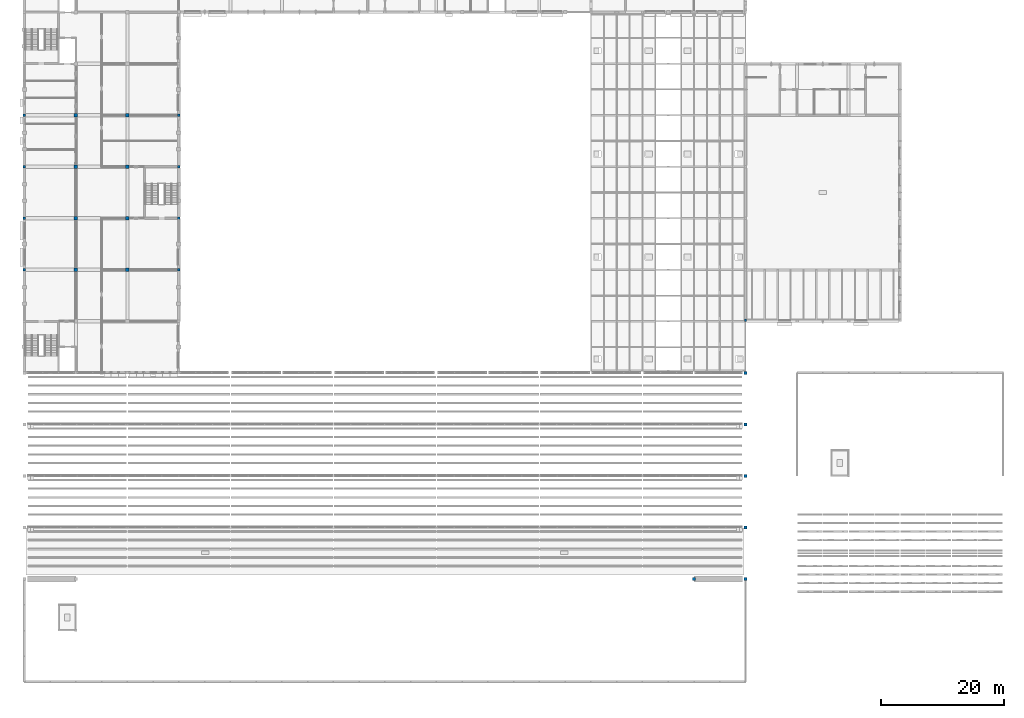
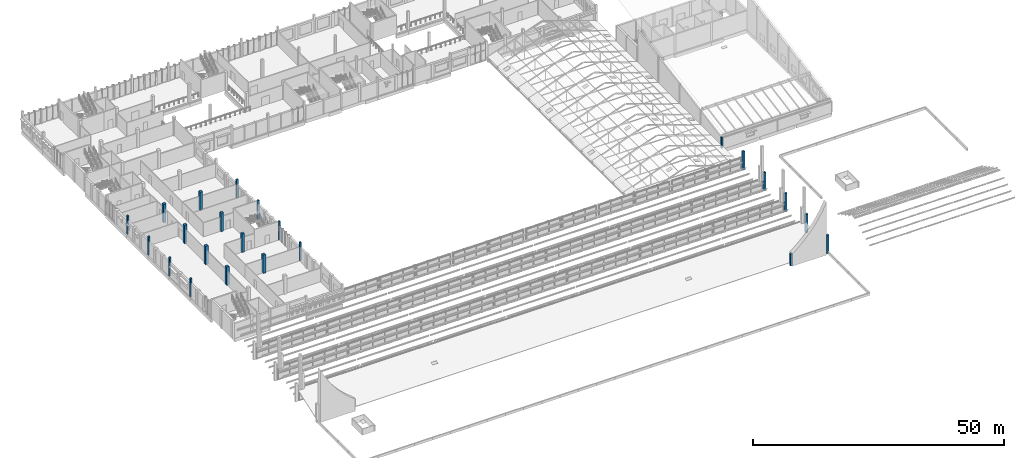
# One storey, part 2 of 116: 23 columns.
"""IFC4 building model written with IfcOpenShell, lengths in metres."""

from ifc_helpers import new_model, si_unit, direction, frame, origin, origin_2d, place, context, subcontext, project, spatial, rectangle, extrude, material, material_profile, profile_set, type_object, element, save


model = new_model("IFC4")

# Units and contexts
model_context = context("Model", 3, precision=1e-05, world=origin(), true_north=direction((0.0, 1.0)))
body_context = subcontext(model_context, "Body", "Model", "MODEL_VIEW")
ifc_project = project(units=[si_unit("LENGTHUNIT", "METRE"), si_unit("AREAUNIT", "SQUARE_METRE"), si_unit("VOLUMEUNIT", "CUBIC_METRE"), si_unit("PLANEANGLEUNIT", "RADIAN"), si_unit("MASSUNIT", "GRAM", prefix="KILO")], contexts=[model_context])

# Site, building, storey
site_placement = place(None, origin())
site = spatial("IfcSite", under=ifc_project, at=site_placement, CompositionType="ELEMENT")
building_placement = place(site_placement, origin())
building = spatial("IfcBuilding", under=site, at=building_placement, Name="Fescue Hill Polytechnic", CompositionType="ELEMENT")
storey_placement = place(building_placement, frame((0.0, 0.0, 13.5)))
storey = spatial("IfcBuildingStorey", under=building, at=storey_placement, Name="L03", CompositionType="ELEMENT", Elevation=13.5)

# Columns
ifc_material = material(Name="Concrete 40 MPa", Category="concrete")
ifc_material_profile_1 = material_profile(ifc_material, rectangle(XDim=0.39990234375, YDim=0.39990234375, at=origin_2d()), Name="RC 400x400")
ifc_profile_set_1 = profile_set([ifc_material_profile_1], Name="Concrete 40 MPa")
column_type_1 = type_object("IfcColumnType", Name="Column RC 400x400", PredefinedType="COLUMN", material=ifc_profile_set_1)
for number, where, z_axis, x_axis, name in (
    (1, (0.0, 67.199951171875, 0.0), (0.0, 0.0, 1.0), (1.0, 0.0, 0.0), "COL-L03-V4-002"),
    (2, (0.0, 75.60009765625, 0.0), (0.0, 0.0, 1.0), (1.0, 0.0, 0.0), "COL-L03-V4-003"),
    (3, (0.0, 84.0, 0.0), (0.0, 0.0, 1.0), (1.0, 0.0, 0.0), "COL-L03-V4-004"),
    (4, (0.0, 92.39990234375, 0.0), (0.0, 0.0, 1.0), (1.0, 0.0, 0.0), "COL-L03-V4-005"),
    (5, (25.199951171875, 67.199951171875, 0.0), (0.0, 0.0, 1.0), (1.0, 0.0, 0.0), "COL-L03-V4-026"),
    (6, (25.199951171875, 75.60009765625, 0.0), (0.0, 0.0, 1.0), (1.0, 0.0, 0.0), "COL-L03-V4-027"),
    (7, (25.199951171875, 84.0, 0.0), (0.0, 0.0, 1.0), (1.0, 0.0, 0.0), "COL-L03-V4-028"),
    (8, (25.199951171875, 92.39990234375, 0.0), (0.0, 0.0, 1.0), (1.0, 0.0, 0.0), "COL-L03-V4-029"),
):
    element("IfcColumn", number, at=place(storey_placement, frame(where, z_axis=z_axis, x_axis=x_axis)), inside=storey, type_object=column_type_1, Name=name, PredefinedType="COLUMN", context=body_context, shape_type="SweptSolid", body=[
        extrude(rectangle(XDim=0.39990234375, YDim=0.39990234375, at=origin_2d()), origin(), (0.0, 0.0, 1.0), 4.5),
    ])
column_1_placement = place(storey_placement, frame((117.60009765625, 59.0, 0.0), z_axis=(0.0, 0.0, 1.0), x_axis=(1.0, 0.0, 0.0)))
element("IfcColumn", 9, at=column_1_placement, inside=storey, type_object=column_type_1, Name="Lecture girder post 1", PredefinedType="COLUMN", context=body_context, shape_type="SweptSolid", body=[
    extrude(rectangle(XDim=0.39990234375, YDim=0.39990234375, at=origin_2d()), origin(), (0.0, 0.0, 1.0), 2.685791015625),
])
ifc_material_profile_2 = material_profile(ifc_material, rectangle(XDim=0.5, YDim=0.5, at=origin_2d()), Name="RC 500x500")
ifc_profile_set_2 = profile_set([ifc_material_profile_2], Name="Concrete 40 MPa")
column_type_2 = type_object("IfcColumnType", Name="Column RC 500x500", PredefinedType="COLUMN", material=ifc_profile_set_2)
for number, where, z_axis, x_axis, name in (
    (10, (117.60009765625, 16.800048828125, 0.0), (0.0, 0.0, 1.0), (1.0, 0.0, 0.0), "COL-L03-V1-006"),
    (11, (117.60009765625, 25.199951171875, 0.0), (0.0, 0.0, 1.0), (1.0, 0.0, 0.0), "COL-L03-V1-007"),
    (12, (117.60009765625, 33.60009765625, 0.0), (0.0, 0.0, 1.0), (1.0, 0.0, 0.0), "COL-L03-V1-008"),
    (13, (117.60009765625, 42.0, 0.0), (0.0, 0.0, 1.0), (1.0, 0.0, 0.0), "COL-L03-V1-009"),
    (14, (117.60009765625, 50.39990234375, 0.0), (0.0, 0.0, 1.0), (1.0, 0.0, 0.0), "COL-L03-V1-010"),
):
    element("IfcColumn", number, at=place(storey_placement, frame(where, z_axis=z_axis, x_axis=x_axis)), inside=storey, type_object=column_type_2, Name=name, PredefinedType="COLUMN", context=body_context, shape_type="SweptSolid", body=[
        extrude(rectangle(XDim=0.5, YDim=0.5, at=origin_2d()), origin(), (0.0, 0.0, 1.0), 4.5),
    ])
column_2_placement = place(storey_placement, frame((109.199951171875, 16.800048828125, 0.0), z_axis=(0.0, 0.0, 1.0), x_axis=(1.0, 0.0, 0.0)))
element("IfcColumn", 15, at=column_2_placement, inside=storey, type_object=column_type_2, Name="CP-CR7-L03-1092", PredefinedType="COLUMN", context=body_context, shape_type="SweptSolid", body=[
    extrude(rectangle(XDim=0.5, YDim=0.5, at=origin_2d()), origin(), (0.0, 0.0, 1.0), 2.89990234375),
])
ifc_material_profile_3 = material_profile(ifc_material, rectangle(XDim=0.60009765625, YDim=0.60009765625, at=origin_2d()), Name="RC 600x600")
ifc_profile_set_3 = profile_set([ifc_material_profile_3], Name="Concrete 40 MPa")
column_type_3 = type_object("IfcColumnType", Name="Column RC 600x600", PredefinedType="COLUMN", material=ifc_profile_set_3)
for number, where, z_axis, x_axis, name in (
    (16, (8.39990234375, 67.199951171875, 0.0), (0.0, 0.0, 1.0), (1.0, 0.0, 0.0), "COL-L03-V4-010"),
    (17, (8.39990234375, 75.60009765625, 0.0), (0.0, 0.0, 1.0), (1.0, 0.0, 0.0), "COL-L03-V4-011"),
    (18, (8.39990234375, 84.0, 0.0), (0.0, 0.0, 1.0), (1.0, 0.0, 0.0), "COL-L03-V4-012"),
    (19, (8.39990234375, 92.39990234375, 0.0), (0.0, 0.0, 1.0), (1.0, 0.0, 0.0), "COL-L03-V4-013"),
    (20, (16.800048828125, 67.199951171875, 0.0), (0.0, 0.0, 1.0), (1.0, 0.0, 0.0), "COL-L03-V4-018"),
    (21, (16.800048828125, 75.60009765625, 0.0), (0.0, 0.0, 1.0), (1.0, 0.0, 0.0), "COL-L03-V4-019"),
    (22, (16.800048828125, 84.0, 0.0), (0.0, 0.0, 1.0), (1.0, 0.0, 0.0), "COL-L03-V4-020"),
    (23, (16.800048828125, 92.39990234375, 0.0), (0.0, 0.0, 1.0), (1.0, 0.0, 0.0), "COL-L03-V4-021"),
):
    element("IfcColumn", number, at=place(storey_placement, frame(where, z_axis=z_axis, x_axis=x_axis)), inside=storey, type_object=column_type_3, Name=name, PredefinedType="COLUMN", context=body_context, shape_type="SweptSolid", body=[
        extrude(rectangle(XDim=0.60009765625, YDim=0.60009765625, at=origin_2d()), origin(), (0.0, 0.0, 1.0), 4.5),
    ])

save(model, "model.ifc")
